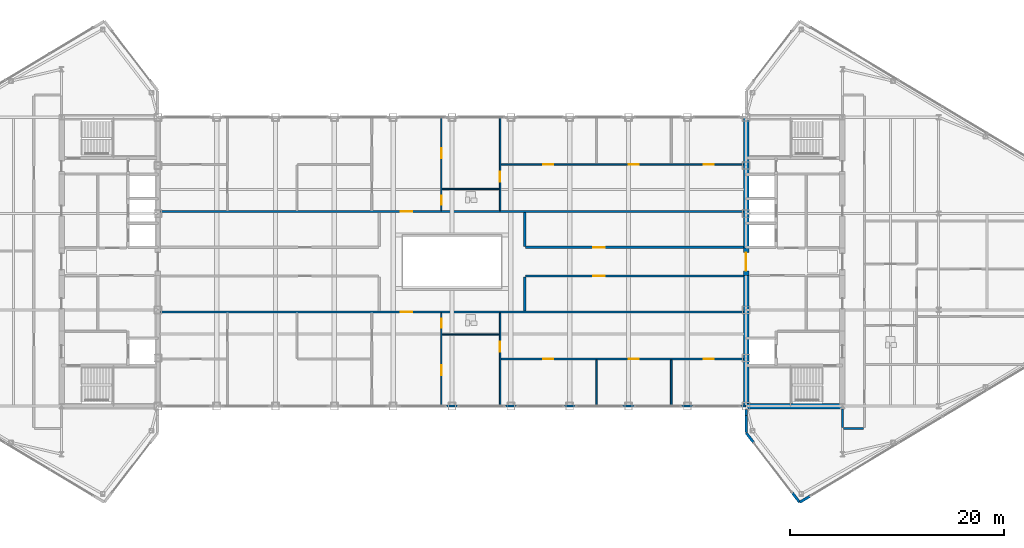
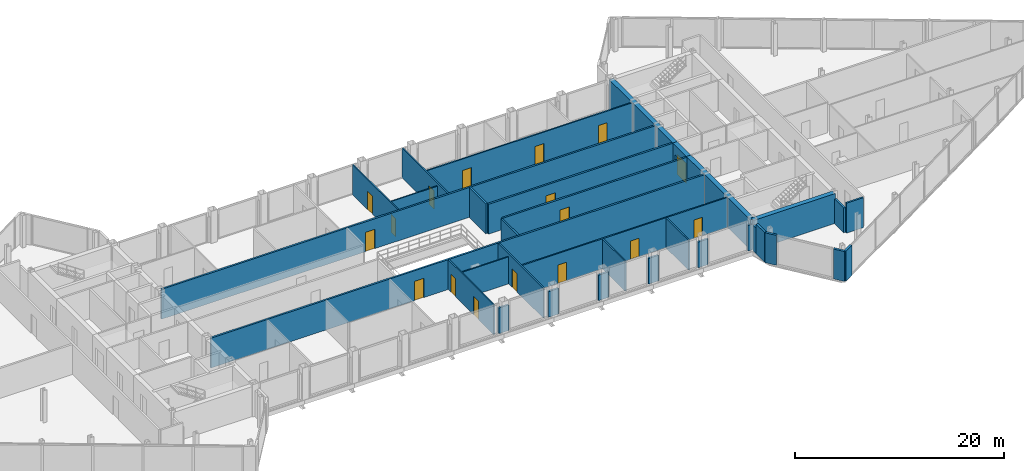
# One storey, part 23 of 28: 33 walls, 17 doors, 17 openings.
"""IFC4 building model written with IfcOpenShell, lengths in metres."""

from ifc_helpers import new_model, si_unit, direction, frame, frame_2d, origin, place, context, subcontext, project, spatial, rectangle, extrude, source, transform, mapped, material, layer, layer_set, type_object, type_shapes, element, fill, save


model = new_model("IFC4")

# Units and contexts
model_context = context("Model", 3, precision=1e-05, world=origin(), true_north=direction((0.0, 1.0)))
body_context = subcontext(model_context, "Body", "Model", "MODEL_VIEW")
ifc_project = project(units=[si_unit("LENGTHUNIT", "METRE"), si_unit("AREAUNIT", "SQUARE_METRE"), si_unit("VOLUMEUNIT", "CUBIC_METRE"), si_unit("PLANEANGLEUNIT", "RADIAN"), si_unit("MASSUNIT", "GRAM", prefix="KILO")], contexts=[model_context])

# Site, building, storey
site_placement = place(None, origin())
site = spatial("IfcSite", under=ifc_project, at=site_placement, CompositionType="ELEMENT")
building_placement = place(site_placement, origin())
building = spatial("IfcBuilding", under=site, at=building_placement, Name="Seokmaru Belvedere", CompositionType="ELEMENT")
storey_placement = place(building_placement, frame((0.0, 0.0, 265.64990234375)))
storey = spatial("IfcBuildingStorey", under=building, at=storey_placement, Name="L70", CompositionType="ELEMENT", Elevation=265.64990234375)

# Wall, openings, doors
ifc_material_1 = material(Name="Fire-Rated Gypsum Shaftwall")
ifc_layer_1 = layer(ifc_material_1, 0.14990234375)
ifc_layer_set_1 = layer_set([ifc_layer_1], Name="Fire-Rated Gypsum Shaftwall")
wall_type_1 = type_object("IfcWallType", Name="Apartment Fire-Acoustic Room Partition 150", PredefinedType="PARTITIONING", material=ifc_layer_set_1)
wall_1_placement = place(storey_placement, frame((4.5849609375, -9.10009765625, 0.0), z_axis=(0.0, 0.0, 1.0), x_axis=(1.0, 0.0, 0.0)))
wall_1 = element("IfcWall", 1, at=wall_1_placement, inside=storey, type_object=wall_type_1, Name="L70 Interior Partition 006", PredefinedType="PARTITIONING", context=body_context, shape_type="SweptSolid", body=[
    extrude(rectangle(XDim=22.66015625, YDim=0.14990234375, at=frame_2d((11.330078125, 0.0))), origin(), (0.0, 0.0, 1.0), 3.489990234375),
])
opening_1_placement = place(wall_1_placement, frame((3.93994140625, 0.0, 0.0)))
opening_1 = element("IfcOpeningElement", 2, at=opening_1_placement, cuts=wall_1, Name="Opening D05", PredefinedType="OPENING", context=body_context, shape_type="SweptSolid", body=[
    extrude(rectangle(XDim=0.949951171875, YDim=2.14990234375, at=frame_2d((0.47509765625, 1.074951171875))), frame((0.0, 0.0849609375, 0.0), z_axis=(0.0, -1.0, 0.0), x_axis=(1.0, 0.0, 0.0)), (0.0, 0.0, 1.0), 0.169921875),
])
opening_2_placement = place(wall_1_placement, frame((11.93994140625, 0.0, 0.0)))
opening_2 = element("IfcOpeningElement", 3, at=opening_2_placement, cuts=wall_1, Name="Opening D05", PredefinedType="OPENING", context=body_context, shape_type="SweptSolid", body=[
    extrude(rectangle(XDim=0.949951171875, YDim=2.14990234375, at=frame_2d((0.47509765625, 1.074951171875))), frame((0.0, 0.0849609375, 0.0), z_axis=(0.0, -1.0, 0.0), x_axis=(1.0, 0.0, 0.0)), (0.0, 0.0, 1.0), 0.169921875),
])
opening_3_placement = place(wall_1_placement, frame((18.93994140625, 0.0, 0.0)))
opening_3 = element("IfcOpeningElement", 4, at=opening_3_placement, cuts=wall_1, Name="Opening D05", PredefinedType="OPENING", context=body_context, shape_type="SweptSolid", body=[
    extrude(rectangle(XDim=0.949951171875, YDim=2.14990234375, at=frame_2d((0.47509765625, 1.074951171875))), frame((0.0, 0.0849609375, 0.0), z_axis=(0.0, -1.0, 0.0), x_axis=(1.0, 0.0, 0.0)), (0.0, 0.0, 1.0), 0.169921875),
])
ifc_material_2 = material(Name="Engineered White Oak Timber", Category="wood")
door_type_1 = type_object("IfcDoorType", Name="Apartment Interior Fire-Rated Oak Door 950x2150", OperationType="NOTDEFINED", PredefinedType="DOOR", material=ifc_material_2)
shared_shape_1 = source(origin(), body_context, "Body", "SweptSolid", [
    extrude(rectangle(XDim=0.949951171875, YDim=2.14990234375, at=frame_2d((0.47509765625, 1.074951171875))), frame((0.0, 0.02490234375, 0.0), z_axis=(0.0, -1.0, 0.0), x_axis=(1.0, 0.0, 0.0)), (0.0, 0.0, 1.0), 0.050048828125),
])
type_shapes(door_type_1, [shared_shape_1])
door_1_placement = place(opening_1_placement, origin())
door_1 = element("IfcDoor", 5, at=door_1_placement, inside=storey, type_object=door_type_1, Name="L70 Interior Door 026", OperationType="SINGLE_SWING_LEFT", OverallHeight=2.14990234375, OverallWidth=0.949951171875, PredefinedType="DOOR", context=body_context, shape_type="MappedRepresentation", body=[
    mapped(shared_shape_1, transform((0.0, 0.0, 0.0), scale=1.0)),
])
fill(opening_1, door_1)
door_2_placement = place(opening_2_placement, origin())
door_2 = element("IfcDoor", 6, at=door_2_placement, inside=storey, type_object=door_type_1, Name="L70 Interior Door 027", OperationType="SINGLE_SWING_RIGHT", OverallHeight=2.14990234375, OverallWidth=0.949951171875, PredefinedType="DOOR", context=body_context, shape_type="MappedRepresentation", body=[
    mapped(shared_shape_1, transform((0.0, 0.0, 0.0), scale=1.0)),
])
fill(opening_2, door_2)
door_3_placement = place(opening_3_placement, origin())
door_3 = element("IfcDoor", 7, at=door_3_placement, inside=storey, type_object=door_type_1, Name="L70 Interior Door 028", OperationType="SINGLE_SWING_LEFT", OverallHeight=2.14990234375, OverallWidth=0.949951171875, PredefinedType="DOOR", context=body_context, shape_type="MappedRepresentation", body=[
    mapped(shared_shape_1, transform((0.0, 0.0, 0.0), scale=1.0)),
])
fill(opening_3, door_3)

wall_2_placement = place(storey_placement, frame((4.5849609375, 9.10009765625, 0.0), z_axis=(0.0, 0.0, 1.0), x_axis=(1.0, 0.0, 0.0)))
wall_2 = element("IfcWall", 8, at=wall_2_placement, inside=storey, type_object=wall_type_1, Name="L70 Interior Partition 023", PredefinedType="PARTITIONING", context=body_context, shape_type="SweptSolid", body=[
    extrude(rectangle(XDim=22.66015625, YDim=0.14990234375, at=frame_2d((11.330078125, 0.0))), origin(), (0.0, 0.0, 1.0), 3.489990234375),
])
opening_4_placement = place(wall_2_placement, frame((3.93994140625, 0.0, 0.0)))
opening_4 = element("IfcOpeningElement", 9, at=opening_4_placement, cuts=wall_2, Name="Opening D05", PredefinedType="OPENING", context=body_context, shape_type="SweptSolid", body=[
    extrude(rectangle(XDim=0.949951171875, YDim=2.14990234375, at=frame_2d((0.47509765625, 1.074951171875))), frame((0.0, 0.0849609375, 0.0), z_axis=(0.0, -1.0, 0.0), x_axis=(1.0, 0.0, 0.0)), (0.0, 0.0, 1.0), 0.169921875),
])
opening_5_placement = place(wall_2_placement, frame((11.93994140625, 0.0, 0.0)))
opening_5 = element("IfcOpeningElement", 10, at=opening_5_placement, cuts=wall_2, Name="Opening D05", PredefinedType="OPENING", context=body_context, shape_type="SweptSolid", body=[
    extrude(rectangle(XDim=0.949951171875, YDim=2.14990234375, at=frame_2d((0.47509765625, 1.074951171875))), frame((0.0, 0.0849609375, 0.0), z_axis=(0.0, -1.0, 0.0), x_axis=(1.0, 0.0, 0.0)), (0.0, 0.0, 1.0), 0.169921875),
])
opening_6_placement = place(wall_2_placement, frame((18.93994140625, 0.0, 0.0)))
opening_6 = element("IfcOpeningElement", 11, at=opening_6_placement, cuts=wall_2, Name="Opening D05", PredefinedType="OPENING", context=body_context, shape_type="SweptSolid", body=[
    extrude(rectangle(XDim=0.949951171875, YDim=2.14990234375, at=frame_2d((0.47509765625, 1.074951171875))), frame((0.0, 0.0849609375, 0.0), z_axis=(0.0, -1.0, 0.0), x_axis=(1.0, 0.0, 0.0)), (0.0, 0.0, 1.0), 0.169921875),
])
door_4_placement = place(opening_4_placement, origin())
door_4 = element("IfcDoor", 12, at=door_4_placement, inside=storey, type_object=door_type_1, Name="L70 Interior Door 037", OperationType="SINGLE_SWING_LEFT", OverallHeight=2.14990234375, OverallWidth=0.949951171875, PredefinedType="DOOR", context=body_context, shape_type="MappedRepresentation", body=[
    mapped(shared_shape_1, transform((0.0, 0.0, 0.0), scale=1.0)),
])
fill(opening_4, door_4)
door_5_placement = place(opening_5_placement, origin())
door_5 = element("IfcDoor", 13, at=door_5_placement, inside=storey, type_object=door_type_1, Name="L70 Interior Door 038", OperationType="SINGLE_SWING_RIGHT", OverallHeight=2.14990234375, OverallWidth=0.949951171875, PredefinedType="DOOR", context=body_context, shape_type="MappedRepresentation", body=[
    mapped(shared_shape_1, transform((0.0, 0.0, 0.0), scale=1.0)),
])
fill(opening_5, door_5)
door_6_placement = place(opening_6_placement, origin())
door_6 = element("IfcDoor", 14, at=door_6_placement, inside=storey, type_object=door_type_1, Name="L70 Interior Door 039", OperationType="SINGLE_SWING_LEFT", OverallHeight=2.14990234375, OverallWidth=0.949951171875, PredefinedType="DOOR", context=body_context, shape_type="MappedRepresentation", body=[
    mapped(shared_shape_1, transform((0.0, 0.0, 0.0), scale=1.0)),
])
fill(opening_6, door_6)

# Wall, opening, door
wall_3_placement = place(storey_placement, frame((4.5, -13.5, 0.0), z_axis=(0.0, 0.0, 1.0), x_axis=(0.0, 1.0, 0.0)))
wall_3 = element("IfcWall", 15, at=wall_3_placement, inside=storey, type_object=wall_type_1, Name="L70 Interior Partition 039", PredefinedType="PARTITIONING", context=body_context, shape_type="SweptSolid", body=[
    extrude(rectangle(XDim=8.715087890625, YDim=0.14990234375, at=frame_2d((4.357421875, 0.0))), origin(), (0.0, 0.0, 1.0), 3.489990234375),
])
opening_7_placement = place(wall_3_placement, frame((5.074951171875, 0.0, 0.0)))
opening_7 = element("IfcOpeningElement", 16, at=opening_7_placement, cuts=wall_3, Name="Opening D05", PredefinedType="OPENING", context=body_context, shape_type="SweptSolid", body=[
    extrude(rectangle(XDim=0.949951171875, YDim=2.14990234375, at=frame_2d((0.47509765625, 1.074951171875))), frame((0.0, 0.0849609375, 0.0), z_axis=(0.0, -1.0, 0.0), x_axis=(1.0, 0.0, 0.0)), (0.0, 0.0, 1.0), 0.169921875),
])
door_7_placement = place(opening_7_placement, origin())
door_7 = element("IfcDoor", 17, at=door_7_placement, inside=storey, type_object=door_type_1, Name="L70 Interior Door 025", OperationType="SINGLE_SWING_LEFT", OverallHeight=2.14990234375, OverallWidth=0.949951171875, PredefinedType="DOOR", context=body_context, shape_type="MappedRepresentation", body=[
    mapped(shared_shape_1, transform((0.0, 0.0, 0.0), scale=1.0)),
])
fill(opening_7, door_7)

wall_4_placement = place(storey_placement, frame((4.5, 4.784912109375, 0.0), z_axis=(0.0, 0.0, 1.0), x_axis=(0.0, 1.0, 0.0)))
wall_4 = element("IfcWall", 18, at=wall_4_placement, inside=storey, type_object=wall_type_1, Name="L70 Interior Partition 040", PredefinedType="PARTITIONING", context=body_context, shape_type="SweptSolid", body=[
    extrude(rectangle(XDim=8.715087890625, YDim=0.14990234375, at=frame_2d((4.357421875, 0.0))), origin(), (0.0, 0.0, 1.0), 3.489990234375),
])
opening_8_placement = place(wall_4_placement, frame((2.68994140625, 0.0, 0.0)))
opening_8 = element("IfcOpeningElement", 19, at=opening_8_placement, cuts=wall_4, Name="Opening D05", PredefinedType="OPENING", context=body_context, shape_type="SweptSolid", body=[
    extrude(rectangle(XDim=0.949951171875, YDim=2.14990234375, at=frame_2d((0.47509765625, 1.074951171875))), frame((0.0, 0.0849609375, 0.0), z_axis=(0.0, -1.0, 0.0), x_axis=(1.0, 0.0, 0.0)), (0.0, 0.0, 1.0), 0.169921875),
])
door_8_placement = place(opening_8_placement, origin())
door_8 = element("IfcDoor", 20, at=door_8_placement, inside=storey, type_object=door_type_1, Name="L70 Interior Door 036", OperationType="SINGLE_SWING_LEFT", OverallHeight=2.14990234375, OverallWidth=0.949951171875, PredefinedType="DOOR", context=body_context, shape_type="MappedRepresentation", body=[
    mapped(shared_shape_1, transform((0.0, 0.0, 0.0), scale=1.0)),
])
fill(opening_8, door_8)

# Walls
for number, where, z_axis, x_axis, name in (
    (21, (13.5, -13.5, 0.0), (0.0, 0.0, 1.0), (0.0, 1.0, 0.0), "L70 Interior Partition 043"),
    (22, (20.5, -13.5, 0.0), (0.0, 0.0, 1.0), (0.0, 1.0, 0.0), "L70 Interior Partition 045"),
):
    element("IfcWall", number, at=place(storey_placement, frame(where, z_axis=z_axis, x_axis=x_axis)), inside=storey, type_object=wall_type_1, Name=name, PredefinedType="PARTITIONING", context=body_context, shape_type="SweptSolid", body=[
        extrude(rectangle(XDim=4.31494140625, YDim=0.14990234375, at=frame_2d((2.157470703125, 0.0))), origin(), (0.0, 0.0, 1.0), 3.489990234375),
    ])
ifc_material_3 = material(Name="Anodised Bronze Aluminium", Category="aluminium")
ifc_layer_2 = layer(ifc_material_3, 0.2099609375)
ifc_layer_set_2 = layer_set([ifc_layer_2], Name="Anodised Bronze Aluminium")
wall_type_2 = type_object("IfcWallType", Name="Bridge Column Spandrel Closure Pier 210", PredefinedType="SOLIDWALL", material=ifc_layer_set_2)
for number, where, z_axis, x_axis, name in (
    (23, (-0.550048828125, -13.5, 0.0), (0.0, 0.0, 1.0), (1.0, 0.0, 0.0), "L70 Bridge South Column Closure Pier 06"),
    (24, (4.949951171875, -13.5, 0.0), (0.0, 0.0, 1.0), (1.0, 0.0, 0.0), "L70 Bridge South Column Closure Pier 07"),
    (25, (10.449951171875, -13.5, 0.0), (0.0, 0.0, 1.0), (1.0, 0.0, 0.0), "L70 Bridge South Column Closure Pier 08"),
    (26, (15.949951171875, -13.5, 0.0), (0.0, 0.0, 1.0), (1.0, 0.0, 0.0), "L70 Bridge South Column Closure Pier 09"),
    (27, (21.449951171875, -13.5, 0.0), (0.0, 0.0, 1.0), (1.0, 0.0, 0.0), "L70 Bridge South Column Closure Pier 10"),
):
    element("IfcWall", number, at=place(storey_placement, frame(where, z_axis=z_axis, x_axis=x_axis)), inside=storey, type_object=wall_type_2, Name=name, PredefinedType="SOLIDWALL", context=body_context, shape_type="SweptSolid", body=[
        extrude(rectangle(XDim=1.10009765625, YDim=0.2099609375, at=frame_2d((0.550048828125, 0.0))), origin(), (0.0, 0.0, 1.0), 2.989990234375),
    ])
wall_5_placement = place(storey_placement, frame((26.949951171875, -13.5, 0.0), z_axis=(0.0, 0.0, 1.0), x_axis=(1.0, 0.0, 0.0)))
element("IfcWall", 28, at=wall_5_placement, inside=storey, type_object=wall_type_2, Name="L70 Bridge South Column Closure Pier 11", PredefinedType="SOLIDWALL", context=body_context, shape_type="SweptSolid", body=[
    extrude(rectangle(XDim=0.5400390625, YDim=0.2099609375, at=frame_2d((0.27001953125, 0.0))), origin(), (0.0, 0.0, 1.0), 2.989990234375),
])
ifc_layer_3 = layer(ifc_material_1, 0.199951171875)
ifc_layer_set_3 = layer_set([ifc_layer_3], Name="Fire-Rated Gypsum Shaftwall")
wall_type_3 = type_object("IfcWallType", Name="Inter-Tenancy Fire Compartment Partition 200", PredefinedType="PARTITIONING", material=ifc_layer_set_3)
wall_6_placement = place(storey_placement, frame((36.5849609375, -15.60009765625, 0.0), z_axis=(0.0, 0.0, 1.0), x_axis=(1.0, 0.0, 0.0)))
element("IfcWall", 29, at=wall_6_placement, inside=storey, type_object=wall_type_3, Name="L70 Interior Partition 002", PredefinedType="PARTITIONING", context=body_context, shape_type="SweptSolid", body=[
    extrude(rectangle(XDim=1.880126953125, YDim=0.199951171875, at=frame_2d((0.93994140625, 0.0))), origin(), (0.0, 0.0, 1.0), 3.489990234375),
])

# Wall, opening, door
wall_7_placement = place(storey_placement, frame((-27.2451171875, -4.699951171875, 0.0), z_axis=(0.0, 0.0, 1.0), x_axis=(1.0, 0.0, 0.0)))
wall_7 = element("IfcWall", 30, at=wall_7_placement, inside=storey, type_object=wall_type_3, Name="L70 Interior Partition 010", PredefinedType="PARTITIONING", context=body_context, shape_type="SweptSolid", body=[
    extrude(rectangle(XDim=54.490234375, YDim=0.199951171875, at=frame_2d((27.2451171875, 0.0))), origin(), (0.0, 0.0, 1.0), 3.489990234375),
])
opening_9_placement = place(wall_7_placement, frame((22.469970703125, 0.0, 0.0)))
opening_9 = element("IfcOpeningElement", 31, at=opening_9_placement, cuts=wall_7, Name="Opening D03", PredefinedType="OPENING", context=body_context, shape_type="SweptSolid", body=[
    extrude(rectangle(XDim=1.050048828125, YDim=2.25, at=frame_2d((0.52490234375, 1.125))), frame((0.0, 0.10986328125, 0.0), z_axis=(0.0, -1.0, 0.0), x_axis=(1.0, 0.0, 0.0)), (0.0, 0.0, 1.0), 0.219970703125),
])
ifc_material_4 = material(Name="Fire-Rated Steel Leaf", Category="steel")
door_type_2 = type_object("IfcDoorType", Name="Apartment Entrance Fire Door 1050x2250", OperationType="NOTDEFINED", PredefinedType="DOOR", material=ifc_material_4)
shared_shape_2 = source(origin(), body_context, "Body", "SweptSolid", [
    extrude(rectangle(XDim=1.050048828125, YDim=2.25, at=frame_2d((0.52490234375, 1.125))), frame((0.0, 0.02490234375, 0.0), z_axis=(0.0, -1.0, 0.0), x_axis=(1.0, 0.0, 0.0)), (0.0, 0.0, 1.0), 0.050048828125),
])
type_shapes(door_type_2, [shared_shape_2])
door_9_placement = place(opening_9_placement, origin())
door_9 = element("IfcDoor", 32, at=door_9_placement, inside=storey, type_object=door_type_2, Name="L70 Interior Door 018", OperationType="SINGLE_SWING_LEFT", OverallHeight=2.25, OverallWidth=1.050048828125, PredefinedType="DOOR", context=body_context, shape_type="MappedRepresentation", body=[
    mapped(shared_shape_2, transform((0.0, 0.0, 0.0), scale=1.0)),
])
fill(opening_9, door_9)

wall_8_placement = place(storey_placement, frame((6.885009765625, -1.35009765625, 0.0), z_axis=(0.0, 0.0, 1.0), x_axis=(1.0, 0.0, 0.0)))
wall_8 = element("IfcWall", 33, at=wall_8_placement, inside=storey, type_object=wall_type_3, Name="L70 Interior Partition 012", PredefinedType="PARTITIONING", context=body_context, shape_type="SweptSolid", body=[
    extrude(rectangle(XDim=20.360107421875, YDim=0.199951171875, at=frame_2d((10.18017578125, 0.0))), origin(), (0.0, 0.0, 1.0), 3.489990234375),
])
opening_10_placement = place(wall_8_placement, frame((6.340087890625, 0.0, 0.0)))
opening_10 = element("IfcOpeningElement", 34, at=opening_10_placement, cuts=wall_8, Name="Opening D03", PredefinedType="OPENING", context=body_context, shape_type="SweptSolid", body=[
    extrude(rectangle(XDim=1.050048828125, YDim=2.25, at=frame_2d((0.52490234375, 1.125))), frame((0.0, 0.10986328125, 0.0), z_axis=(0.0, -1.0, 0.0), x_axis=(1.0, 0.0, 0.0)), (0.0, 0.0, 1.0), 0.219970703125),
])
door_10_placement = place(opening_10_placement, origin())
door_10 = element("IfcDoor", 35, at=door_10_placement, inside=storey, type_object=door_type_2, Name="L70 Interior Door 015", OperationType="SINGLE_SWING_RIGHT", OverallHeight=2.25, OverallWidth=1.050048828125, PredefinedType="DOOR", context=body_context, shape_type="MappedRepresentation", body=[
    mapped(shared_shape_2, transform((0.0, 0.0, 0.0), scale=1.0)),
])
fill(opening_10, door_10)

wall_9_placement = place(storey_placement, frame((6.885009765625, 1.35009765625, 0.0), z_axis=(0.0, 0.0, 1.0), x_axis=(1.0, 0.0, 0.0)))
wall_9 = element("IfcWall", 36, at=wall_9_placement, inside=storey, type_object=wall_type_3, Name="L70 Interior Partition 017", PredefinedType="PARTITIONING", context=body_context, shape_type="SweptSolid", body=[
    extrude(rectangle(XDim=20.360107421875, YDim=0.199951171875, at=frame_2d((10.18017578125, 0.0))), origin(), (0.0, 0.0, 1.0), 3.489990234375),
])
opening_11_placement = place(wall_9_placement, frame((6.340087890625, 0.0, 0.0)))
opening_11 = element("IfcOpeningElement", 37, at=opening_11_placement, cuts=wall_9, Name="Opening D03", PredefinedType="OPENING", context=body_context, shape_type="SweptSolid", body=[
    extrude(rectangle(XDim=1.050048828125, YDim=2.25, at=frame_2d((0.52490234375, 1.125))), frame((0.0, 0.10986328125, 0.0), z_axis=(0.0, -1.0, 0.0), x_axis=(1.0, 0.0, 0.0)), (0.0, 0.0, 1.0), 0.219970703125),
])
door_11_placement = place(opening_11_placement, origin())
door_11 = element("IfcDoor", 38, at=door_11_placement, inside=storey, type_object=door_type_2, Name="L70 Interior Door 017", OperationType="SINGLE_SWING_LEFT", OverallHeight=2.25, OverallWidth=1.050048828125, PredefinedType="DOOR", context=body_context, shape_type="MappedRepresentation", body=[
    mapped(shared_shape_2, transform((0.0, 0.0, 0.0), scale=1.0)),
])
fill(opening_11, door_11)

wall_10_placement = place(storey_placement, frame((-27.2451171875, 4.699951171875, 0.0), z_axis=(0.0, 0.0, 1.0), x_axis=(1.0, 0.0, 0.0)))
wall_10 = element("IfcWall", 39, at=wall_10_placement, inside=storey, type_object=wall_type_3, Name="L70 Interior Partition 019", PredefinedType="PARTITIONING", context=body_context, shape_type="SweptSolid", body=[
    extrude(rectangle(XDim=54.490234375, YDim=0.199951171875, at=frame_2d((27.2451171875, 0.0))), origin(), (0.0, 0.0, 1.0), 3.489990234375),
])
opening_12_placement = place(wall_10_placement, frame((22.469970703125, 0.0, 0.0)))
opening_12 = element("IfcOpeningElement", 40, at=opening_12_placement, cuts=wall_10, Name="Opening D03", PredefinedType="OPENING", context=body_context, shape_type="SweptSolid", body=[
    extrude(rectangle(XDim=1.050048828125, YDim=2.25, at=frame_2d((0.52490234375, 1.125))), frame((0.0, 0.10986328125, 0.0), z_axis=(0.0, -1.0, 0.0), x_axis=(1.0, 0.0, 0.0)), (0.0, 0.0, 1.0), 0.219970703125),
])
door_12_placement = place(opening_12_placement, origin())
door_12 = element("IfcDoor", 41, at=door_12_placement, inside=storey, type_object=door_type_2, Name="L70 Interior Door 029", OperationType="SINGLE_SWING_RIGHT", OverallHeight=2.25, OverallWidth=1.050048828125, PredefinedType="DOOR", context=body_context, shape_type="MappedRepresentation", body=[
    mapped(shared_shape_2, transform((0.0, 0.0, 0.0), scale=1.0)),
])
fill(opening_12, door_12)

# Walls
for number, where, z_axis, x_axis, name in (
    (42, (6.800048828125, -4.614990234375, 0.0), (0.0, 0.0, 1.0), (0.0, 1.0, 0.0), "L70 Interior Partition 041"),
    (43, (6.800048828125, 1.43505859375, 0.0), (0.0, 0.0, 1.0), (0.0, 1.0, 0.0), "L70 Interior Partition 042"),
):
    element("IfcWall", number, at=place(storey_placement, frame(where, z_axis=z_axis, x_axis=x_axis)), inside=storey, type_object=wall_type_3, Name=name, PredefinedType="PARTITIONING", context=body_context, shape_type="SweptSolid", body=[
        extrude(rectangle(XDim=3.179931640625, YDim=0.199951171875, at=frame_2d((1.58984375, 0.0))), origin(), (0.0, 0.0, 1.0), 3.489990234375),
    ])
wall_11_placement = place(storey_placement, frame((36.5, -15.514892578125, 0.0), z_axis=(0.0, 0.0, 1.0), x_axis=(0.0, 1.0, 0.0)))
element("IfcWall", 44, at=wall_11_placement, inside=storey, type_object=wall_type_3, Name="L70 Interior Partition 047", PredefinedType="PARTITIONING", context=body_context, shape_type="SweptSolid", body=[
    extrude(rectangle(XDim=1.760009765625, YDim=0.199951171875, at=frame_2d((0.8798828125, 0.0))), origin(), (0.0, 0.0, 1.0), 2.89013671875),
])
ifc_layer_4 = layer(ifc_material_1, 0.1298828125)
ifc_layer_set_4 = layer_set([ifc_layer_4], Name="Fire-Rated Gypsum Shaftwall")
wall_type_4 = type_object("IfcWallType", Name="Moisture-Resistant Fire-Rated Bathroom Partition 130", PredefinedType="PARTITIONING", material=ifc_layer_set_4)
for number, where, z_axis, x_axis, name in (
    (45, (-0.9150390625, -6.800048828125, 0.0), (0.0, 0.0, 1.0), (1.0, 0.0, 0.0), "L70 Interior Partition 007"),
    (46, (-0.9150390625, 6.800048828125, 0.0), (0.0, 0.0, 1.0), (1.0, 0.0, 0.0), "L70 Interior Partition 020"),
):
    element("IfcWall", number, at=place(storey_placement, frame(where, z_axis=z_axis, x_axis=x_axis)), inside=storey, type_object=wall_type_4, Name=name, PredefinedType="PARTITIONING", context=body_context, shape_type="SweptSolid", body=[
        extrude(rectangle(XDim=5.330078125, YDim=0.1298828125, at=frame_2d((2.6650390625, 0.0))), origin(), (0.0, 0.0, 1.0), 3.14013671875),
    ])

# Wall, openings, doors
wall_12_placement = place(storey_placement, frame((-1.0, -13.5, 0.0), z_axis=(0.0, 0.0, 1.0), x_axis=(0.0, 1.0, 0.0)))
wall_12 = element("IfcWall", 47, at=wall_12_placement, inside=storey, type_object=wall_type_4, Name="L70 Interior Partition 037", PredefinedType="PARTITIONING", context=body_context, shape_type="SweptSolid", body=[
    extrude(rectangle(XDim=8.715087890625, YDim=0.1298828125, at=frame_2d((4.357421875, 0.0))), origin(), (0.0, 0.0, 1.0), 3.489990234375),
])
opening_13_placement = place(wall_12_placement, frame((7.31005859375, 0.0, 0.0)))
opening_13 = element("IfcOpeningElement", 48, at=opening_13_placement, cuts=wall_12, Name="Opening D06", PredefinedType="OPENING", context=body_context, shape_type="SweptSolid", body=[
    extrude(rectangle(XDim=0.8798828125, YDim=2.10009765625, at=frame_2d((0.43994140625, 1.050048828125))), frame((0.0, 0.074951171875, 0.0), z_axis=(0.0, -1.0, 0.0), x_axis=(1.0, 0.0, 0.0)), (0.0, 0.0, 1.0), 0.14990234375),
])
opening_14_placement = place(wall_12_placement, frame((2.875, 0.0, 0.0)))
opening_14 = element("IfcOpeningElement", 49, at=opening_14_placement, cuts=wall_12, Name="Opening D05", PredefinedType="OPENING", context=body_context, shape_type="SweptSolid", body=[
    extrude(rectangle(XDim=0.949951171875, YDim=2.14990234375, at=frame_2d((0.47509765625, 1.074951171875))), frame((0.0, 0.074951171875, 0.0), z_axis=(0.0, -1.0, 0.0), x_axis=(1.0, 0.0, 0.0)), (0.0, 0.0, 1.0), 0.14990234375),
])
door_type_3 = type_object("IfcDoorType", Name="Bathroom and Restroom Fire-Rated Door 880x2100", OperationType="NOTDEFINED", PredefinedType="DOOR", material=ifc_material_2)
shared_shape_3 = source(origin(), body_context, "Body", "SweptSolid", [
    extrude(rectangle(XDim=0.8798828125, YDim=2.10009765625, at=frame_2d((0.43994140625, 1.050048828125))), frame((0.0, 0.02490234375, 0.0), z_axis=(0.0, -1.0, 0.0), x_axis=(1.0, 0.0, 0.0)), (0.0, 0.0, 1.0), 0.050048828125),
])
type_shapes(door_type_3, [shared_shape_3])
door_13_placement = place(opening_13_placement, origin())
door_13 = element("IfcDoor", 50, at=door_13_placement, inside=storey, type_object=door_type_3, Name="L70 Interior Door 019", OperationType="SINGLE_SWING_LEFT", OverallHeight=2.10009765625, OverallWidth=0.8798828125, PredefinedType="DOOR", context=body_context, shape_type="MappedRepresentation", body=[
    mapped(shared_shape_3, transform((0.0, 0.0, 0.0), scale=1.0)),
])
fill(opening_13, door_13)
door_14_placement = place(opening_14_placement, origin())
door_14 = element("IfcDoor", 51, at=door_14_placement, inside=storey, type_object=door_type_1, Name="L70 Interior Door 020", OperationType="SINGLE_SWING_RIGHT", OverallHeight=2.14990234375, OverallWidth=0.949951171875, PredefinedType="DOOR", context=body_context, shape_type="MappedRepresentation", body=[
    mapped(shared_shape_1, transform((0.0, 0.0, 0.0), scale=1.0)),
])
fill(opening_14, door_14)

wall_13_placement = place(storey_placement, frame((-1.0, 4.784912109375, 0.0), z_axis=(0.0, 0.0, 1.0), x_axis=(0.0, 1.0, 0.0)))
wall_13 = element("IfcWall", 52, at=wall_13_placement, inside=storey, type_object=wall_type_4, Name="L70 Interior Partition 038", PredefinedType="PARTITIONING", context=body_context, shape_type="SweptSolid", body=[
    extrude(rectangle(XDim=8.715087890625, YDim=0.1298828125, at=frame_2d((4.357421875, 0.0))), origin(), (0.0, 0.0, 1.0), 3.489990234375),
])
opening_15_placement = place(wall_13_placement, frame((0.52490234375, 0.0, 0.0)))
opening_15 = element("IfcOpeningElement", 53, at=opening_15_placement, cuts=wall_13, Name="Opening D06", PredefinedType="OPENING", context=body_context, shape_type="SweptSolid", body=[
    extrude(rectangle(XDim=0.8798828125, YDim=2.10009765625, at=frame_2d((0.43994140625, 1.050048828125))), frame((0.0, 0.074951171875, 0.0), z_axis=(0.0, -1.0, 0.0), x_axis=(1.0, 0.0, 0.0)), (0.0, 0.0, 1.0), 0.14990234375),
])
opening_16_placement = place(wall_13_placement, frame((4.889892578125, 0.0, 0.0)))
opening_16 = element("IfcOpeningElement", 54, at=opening_16_placement, cuts=wall_13, Name="Opening D05", PredefinedType="OPENING", context=body_context, shape_type="SweptSolid", body=[
    extrude(rectangle(XDim=0.949951171875, YDim=2.14990234375, at=frame_2d((0.47509765625, 1.074951171875))), frame((0.0, 0.074951171875, 0.0), z_axis=(0.0, -1.0, 0.0), x_axis=(1.0, 0.0, 0.0)), (0.0, 0.0, 1.0), 0.14990234375),
])
door_15_placement = place(opening_15_placement, origin())
door_15 = element("IfcDoor", 55, at=door_15_placement, inside=storey, type_object=door_type_3, Name="L70 Interior Door 030", OperationType="SINGLE_SWING_LEFT", OverallHeight=2.10009765625, OverallWidth=0.8798828125, PredefinedType="DOOR", context=body_context, shape_type="MappedRepresentation", body=[
    mapped(shared_shape_3, transform((0.0, 0.0, 0.0), scale=1.0)),
])
fill(opening_15, door_15)
door_16_placement = place(opening_16_placement, origin())
door_16 = element("IfcDoor", 56, at=door_16_placement, inside=storey, type_object=door_type_1, Name="L70 Interior Door 031", OperationType="SINGLE_SWING_RIGHT", OverallHeight=2.14990234375, OverallWidth=0.949951171875, PredefinedType="DOOR", context=body_context, shape_type="MappedRepresentation", body=[
    mapped(shared_shape_1, transform((0.0, 0.0, 0.0), scale=1.0)),
])
fill(opening_16, door_16)

# Walls
ifc_layer_5 = layer(ifc_material_3, 0.239990234375)
ifc_layer_set_5 = layer_set([ifc_layer_5], Name="Anodised Bronze Aluminium")
wall_type_5 = type_object("IfcWallType", Name="Tower Corner Spandrel Closure Wall 240", PredefinedType="SOLIDWALL", material=ifc_layer_set_5)
wall_14_placement = place(storey_placement, frame((32.508544921875, -22.494873046875, 0.0), z_axis=(0.0, 0.0, 1.0), x_axis=(0.85743623509, 0.514590228002, 0.0)))
element("IfcWall", 57, at=wall_14_placement, inside=storey, type_object=wall_type_5, Name="L70 E Corner Closure Pier 1A", PredefinedType="SOLIDWALL", context=body_context, shape_type="SweptSolid", body=[
    extrude(rectangle(XDim=1.14013671875, YDim=0.239990234375, at=frame_2d((0.570068359375, 0.0))), origin(), (0.0, 0.0, 1.0), 3.489990234375),
])
wall_15_placement = place(storey_placement, frame((27.5, -15.97998046875, 0.0), z_axis=(0.0, 0.0, 1.0), x_axis=(0.0, 1.0, 0.0)))
element("IfcWall", 58, at=wall_15_placement, inside=storey, type_object=wall_type_5, Name="L70 E Shoulder Closure Wall 1", PredefinedType="SOLIDWALL", context=body_context, shape_type="SweptSolid", body=[
    extrude(rectangle(XDim=1.605224609375, YDim=0.239990234375, at=frame_2d((0.802734375, 0.0))), origin(), (0.0, 0.0, 1.0), 3.489990234375),
])
wall_16_placement = place(storey_placement, frame((27.5, -14.374755859375, 0.0), z_axis=(0.0, 0.0, 1.0), x_axis=(0.0, 1.0, 0.0)))
element("IfcWall", 59, at=wall_16_placement, inside=storey, type_object=wall_type_5, Name="L70 E Shoulder Closure Wall 1 Part 2", PredefinedType="SOLIDWALL", context=body_context, shape_type="SweptSolid", body=[
    extrude(rectangle(XDim=0.619873046875, YDim=0.239990234375, at=frame_2d((0.31005859375, 0.0))), origin(), (0.0, 0.0, 1.0), 2.989990234375),
])
for number, where, z_axis, x_axis, name in (
    (60, (27.506103515625, -16.0078125, 0.0), (0.0, 0.0, 1.0), (0.609617623633, -0.792695624408, 0.0), "L70 E Corner Closure Pier 6A"),
    (61, (31.798828125, -21.58837890625, 0.0), (0.0, 0.0, 1.0), (0.609617623633, -0.792695624408, 0.0), "L70 E Corner Closure Pier 6B"),
):
    element("IfcWall", number, at=place(storey_placement, frame(where, z_axis=z_axis, x_axis=x_axis)), inside=storey, type_object=wall_type_5, Name=name, PredefinedType="SOLIDWALL", context=body_context, shape_type="SweptSolid", body=[
        extrude(rectangle(XDim=1.14013671875, YDim=0.239990234375, at=frame_2d((0.570068359375, 0.0))), origin(), (0.0, 0.0, 1.0), 3.489990234375),
    ])
ifc_material_5 = material(Name="Concrete C50 (50 MPa)", Category="concrete")
ifc_layer_6 = layer(ifc_material_5, 0.5)
ifc_layer_set_6 = layer_set([ifc_layer_6], Name="Concrete C50 (50 MPa)")
wall_type_6 = type_object("IfcWallType", Name="Upper Tower Reinforced Concrete Core Wall 500", PredefinedType="SHEAR", material=ifc_layer_set_6)
for number, where, z_axis, x_axis, name in (
    (62, (27.5, -13.5, 0.0), (0.0, 0.0, 1.0), (0.0, 1.0, 0.0), "L70 East Portal Spine Core Wall South"),
    (63, (27.5, 1.300048828125, 0.0), (0.0, 0.0, 1.0), (0.0, 1.0, 0.0), "L70 East Portal Spine Core Wall North"),
):
    element("IfcWall", number, at=place(storey_placement, frame(where, z_axis=z_axis, x_axis=x_axis)), inside=storey, type_object=wall_type_6, Name=name, PredefinedType="SHEAR", context=body_context, shape_type="SweptSolid", body=[
        extrude(rectangle(XDim=12.199951171875, YDim=0.5, at=frame_2d((6.10009765625, 0.0))), origin(), (0.0, 0.0, 1.0), 3.489990234375),
    ])

# Wall, opening, door
wall_17_placement = place(storey_placement, frame((27.5, -1.300048828125, 0.0), z_axis=(0.0, 0.0, 1.0), x_axis=(0.0, 1.0, 0.0)))
wall_17 = element("IfcWall", 64, at=wall_17_placement, inside=storey, type_object=wall_type_6, Name="L70 East Portal Spine Core Wall Center", PredefinedType="SHEAR", context=body_context, shape_type="SweptSolid", body=[
    extrude(rectangle(XDim=2.60009765625, YDim=0.5, at=frame_2d((1.300048828125, 0.0))), origin(), (0.0, 0.0, 1.0), 3.489990234375),
])
opening_17_placement = place(wall_17_placement, frame((0.449951171875, 0.0, 0.0)))
opening_17 = element("IfcOpeningElement", 65, at=opening_17_placement, cuts=wall_17, Name="Opening D09", PredefinedType="OPENING", context=body_context, shape_type="SweptSolid", body=[
    extrude(rectangle(XDim=1.699951171875, YDim=2.35009765625, at=frame_2d((0.85009765625, 1.175048828125))), frame((0.0, 0.260009765625, 0.0), z_axis=(0.0, -1.0, 0.0), x_axis=(1.0, 0.0, 0.0)), (0.0, 0.0, 1.0), 0.52001953125),
])
door_type_4 = type_object("IfcDoorType", Name="Sky-Gate Bridge Inter-Tower Fire Door 1700x2350", OperationType="DOUBLE_SWING_LEFT", PredefinedType="DOOR", material=ifc_material_4)
shared_shape_4 = source(origin(), body_context, "Body", "SweptSolid", [
    extrude(rectangle(XDim=1.699951171875, YDim=2.35009765625, at=frame_2d((0.85009765625, 1.175048828125))), frame((0.0, 0.02490234375, 0.0), z_axis=(0.0, -1.0, 0.0), x_axis=(1.0, 0.0, 0.0)), (0.0, 0.0, 1.0), 0.050048828125),
])
type_shapes(door_type_4, [shared_shape_4])
door_17_placement = place(opening_17_placement, origin())
door_17 = element("IfcDoor", 66, at=door_17_placement, inside=storey, type_object=door_type_4, Name="L70 East Inter-Tower Fire Door", OperationType="DOUBLE_SWING_LEFT", OverallHeight=2.35009765625, OverallWidth=1.699951171875, PredefinedType="DOOR", context=body_context, shape_type="MappedRepresentation", body=[
    mapped(shared_shape_4, transform((0.0, 0.0, 0.0), scale=1.0)),
])
fill(opening_17, door_17)

# Wall
wall_18_placement = place(storey_placement, frame((27.5, -13.5, 0.0), z_axis=(0.0, 0.0, 1.0), x_axis=(1.0, 0.0, 0.0)))
element("IfcWall", 67, at=wall_18_placement, inside=storey, type_object=wall_type_6, Name="L70 East South Core Wall", PredefinedType="SHEAR", context=body_context, shape_type="SweptSolid", body=[
    extrude(rectangle(XDim=9.0, YDim=0.5, at=frame_2d((4.5, 0.0))), origin(), (0.0, 0.0, 1.0), 3.489990234375),
])

save(model, "model.ifc")
